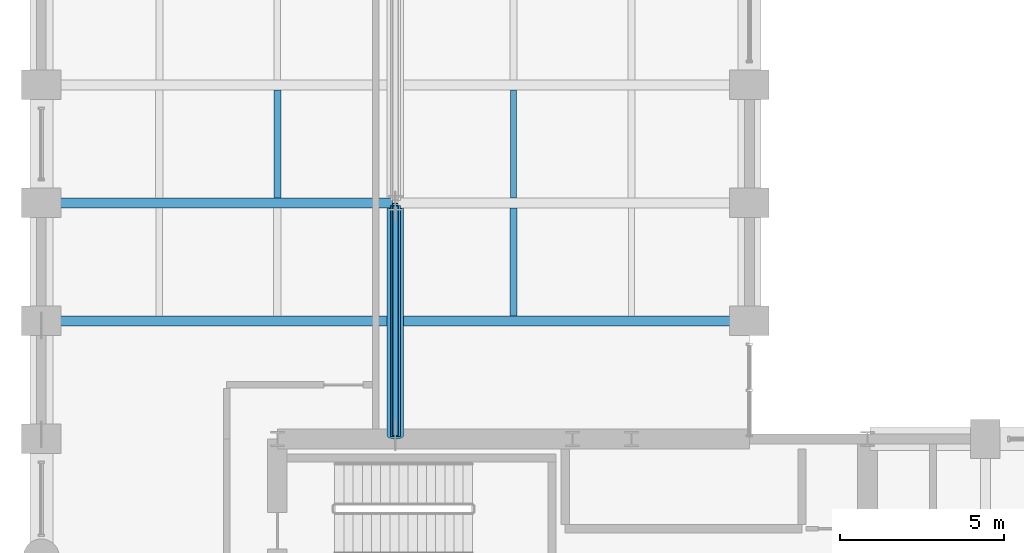
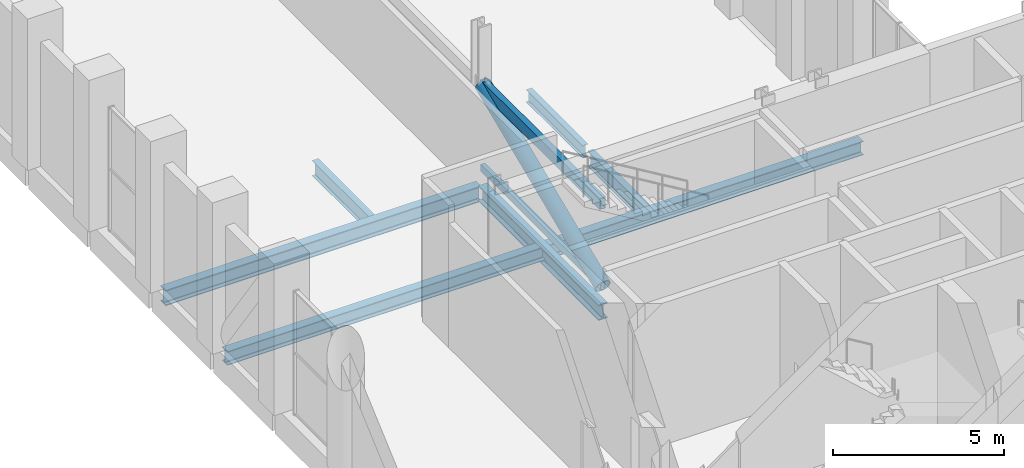
# One storey, part 7 of 27: 6 beams, 3 members.
"""IFC4 building model written with IfcOpenShell, lengths in metres."""

from ifc_helpers import new_model, si_unit, direction, frame, origin, origin_2d, place, context, subcontext, project, spatial, hollow_rectangle, hollow_circle, i_section, extrude, material, material_profile, profile_set, type_object, element, save


model = new_model("IFC4")

# Units and contexts
model_context = context("Model", 3, precision=1e-05, world=origin(), true_north=direction((0.0, 1.0)))
body_context = subcontext(model_context, "Body", "Model", "MODEL_VIEW")
ifc_project = project(units=[si_unit("LENGTHUNIT", "METRE"), si_unit("AREAUNIT", "SQUARE_METRE"), si_unit("VOLUMEUNIT", "CUBIC_METRE"), si_unit("PLANEANGLEUNIT", "RADIAN"), si_unit("MASSUNIT", "GRAM", prefix="KILO")], contexts=[model_context])

# Site, building, storey
site_placement = place(None, origin())
site = spatial("IfcSite", under=ifc_project, at=site_placement, CompositionType="ELEMENT")
building_placement = place(site_placement, origin())
building = spatial("IfcBuilding", under=site, at=building_placement, Name="Solnavia Interchange Tower", CompositionType="ELEMENT")
storey_placement = place(building_placement, frame((0.0, 0.0, 74.699951171875)))
storey = spatial("IfcBuildingStorey", under=building, at=storey_placement, Name="L18", CompositionType="ELEMENT", Elevation=74.699951171875)

# Beams
ifc_material_1 = material(Name="Steel S460", Category="steel")
ifc_material_profile_1 = material_profile(ifc_material_1, i_section(OverallWidth=0.300048828125, OverallDepth=0.550048828125, WebThickness=0.014892578125, FlangeThickness=0.029052734375, FilletRadius=0.027099609375, at=origin_2d()), Name="HEB 550")
ifc_profile_set_1 = profile_set([ifc_material_profile_1], Name="Steel S460")
beam_type_1 = type_object("IfcBeamType", Name="Beam-Girder-HEB550", PredefinedType="BEAM", material=ifc_profile_set_1)
beam_1_placement = place(storey_placement, frame((18.0, 25.280029296875, -0.594970703125), z_axis=(0.0, 1.0, 0.0), x_axis=(-1.0, 0.0, 0.0)))
element("IfcBeam", 1, at=beam_1_placement, inside=storey, type_object=beam_type_1, Name="GRD-L18-NS12 North wing spine girder", PredefinedType="BEAM", context=body_context, shape_type="SweptSolid", body=[
    extrude(i_section(OverallWidth=0.300048828125, OverallDepth=0.550048828125, WebThickness=0.014892578125, FlangeThickness=0.029052734375, FilletRadius=0.027099609375, at=origin_2d()), origin(), (0.0, 0.0, 1.0), 7.0400390625),
])
beam_2_placement = place(storey_placement, frame((7.280029296875, 32.39990234375, -0.594970703125), z_axis=(1.0, 0.0, 0.0), x_axis=(0.0, 1.0, 0.0)))
element("IfcBeam", 2, at=beam_2_placement, inside=storey, type_object=beam_type_1, Name="GRD-L18-NW16 North wing primary floor girder", PredefinedType="BEAM", context=body_context, shape_type="SweptSolid", body=[
    extrude(i_section(OverallWidth=0.300048828125, OverallDepth=0.550048828125, WebThickness=0.014892578125, FlangeThickness=0.029052734375, FilletRadius=0.027099609375, at=origin_2d()), origin(), (0.0, 0.0, 1.0), 10.639892578125),
])
ifc_material_2 = material(Name="Steel S355", Category="steel")
ifc_material_profile_2 = material_profile(ifc_material_2, i_section(OverallWidth=0.18994140625, OverallDepth=0.449951171875, WebThickness=0.009521484375, FlangeThickness=0.0146484375, FilletRadius=0.02099609375, at=origin_2d()), Name="IPE 450")
ifc_profile_set_2 = profile_set([ifc_material_profile_2], Name="Steel S355")
beam_type_2 = type_object("IfcBeamType", Name="Beam-Joist-IPE450", PredefinedType="JOIST", material=ifc_profile_set_2)
beam_3_placement = place(storey_placement, frame((21.60009765625, 32.550048828125, -0.544921875), z_axis=(0.0, 1.0, 0.0), x_axis=(-1.0, 0.0, 0.0)))
element("IfcBeam", 3, at=beam_3_placement, inside=storey, type_object=beam_type_2, Name="JST-L18-N30 North wing secondary joist", PredefinedType="JOIST", context=body_context, shape_type="SweptSolid", body=[
    extrude(i_section(OverallWidth=0.18994140625, OverallDepth=0.449951171875, WebThickness=0.009521484375, FlangeThickness=0.0146484375, FilletRadius=0.02099609375, at=origin_2d()), origin(), (0.0, 0.0, 1.0), 3.300048828125),
])
ifc_material_profile_3 = material_profile(ifc_material_2, i_section(OverallWidth=0.2099609375, OverallDepth=0.550048828125, WebThickness=0.010986328125, FlangeThickness=0.01708984375, FilletRadius=0.02392578125, at=origin_2d()), Name="IPE 550")
ifc_profile_set_3 = profile_set([ifc_material_profile_3], Name="Steel S355")
beam_type_3 = type_object("IfcBeamType", Name="Beam-Joist-IPE550", PredefinedType="JOIST", material=ifc_profile_set_3)
for number, where, z_axis, x_axis, name in (
    (4, (14.39990234375, 32.550048828125, -0.594970703125), (0.0, 1.0, 0.0), (-1.0, 0.0, 0.0), "JST-L18-N26 North wing secondary joist"),
    (5, (21.60009765625, 28.949951171875, -0.594970703125), (0.0, 1.0, 0.0), (-1.0, 0.0, 0.0), "JST-L18-N29 North wing secondary joist"),
):
    element("IfcBeam", number, at=place(storey_placement, frame(where, z_axis=z_axis, x_axis=x_axis)), inside=storey, type_object=beam_type_3, Name=name, PredefinedType="JOIST", context=body_context, shape_type="SweptSolid", body=[
        extrude(i_section(OverallWidth=0.2099609375, OverallDepth=0.550048828125, WebThickness=0.010986328125, FlangeThickness=0.01708984375, FilletRadius=0.02392578125, at=origin_2d()), origin(), (0.0, 0.0, 1.0), 3.300048828125),
    ])
ifc_material_profile_4 = material_profile(ifc_material_2, i_section(OverallWidth=0.300048828125, OverallDepth=0.489990234375, WebThickness=0.011962890625, FlangeThickness=0.02294921875, FilletRadius=0.027099609375, at=origin_2d()), Name="HEA 500")
ifc_profile_set_4 = profile_set([ifc_material_profile_4], Name="Steel S355")
beam_type_4 = type_object("IfcBeamType", Name="Beam-Primary-HEA500", PredefinedType="BEAM", material=ifc_profile_set_4)
beam_4_placement = place(storey_placement, frame((7.280029296875, 28.800048828125, -0.56494140625), z_axis=(1.0, 0.0, 0.0), x_axis=(0.0, 1.0, 0.0)))
element("IfcBeam", 6, at=beam_4_placement, inside=storey, type_object=beam_type_4, Name="GRD-L18-NW15 North wing primary floor girder", PredefinedType="BEAM", context=body_context, shape_type="SweptSolid", body=[
    extrude(i_section(OverallWidth=0.300048828125, OverallDepth=0.489990234375, WebThickness=0.011962890625, FlangeThickness=0.02294921875, FilletRadius=0.027099609375, at=origin_2d()), origin(), (0.0, 0.0, 1.0), 21.43994140625),
])

# Members
ifc_material_profile_5 = material_profile(ifc_material_2, hollow_rectangle(XDim=0.14990234375, YDim=0.25, WallThickness=0.010009765625, at=origin_2d()), Name="RHS 250x150x10")
ifc_profile_set_5 = profile_set([ifc_material_profile_5], Name="Steel S355")
member_type_1 = type_object("IfcMemberType", Name="Outrigger-Chord-RHS250", PredefinedType="CHORD", material=ifc_profile_set_5)
member_1_placement = place(storey_placement, frame((18.0, 25.300048828125, 0.300048828125), z_axis=(0.0, 1.0, 0.0), x_axis=(-1.0, 0.0, 0.0)))
element("IfcMember", 7, at=member_1_placement, inside=storey, type_object=member_type_1, Name="OTR-L18-BC03 Outrigger bottom chord", PredefinedType="CHORD", context=body_context, shape_type="SweptSolid", body=[
    extrude(hollow_rectangle(XDim=0.14990234375, YDim=0.25, WallThickness=0.010009765625, at=origin_2d()), origin(), (0.0, 0.0, 1.0), 7.0),
])
ifc_material_profile_6 = material_profile(ifc_material_1, hollow_rectangle(XDim=0.199951171875, YDim=0.39990234375, WallThickness=0.01611328125, at=origin_2d()), Name="RHS 400x200x16")
ifc_profile_set_6 = profile_set([ifc_material_profile_6], Name="Steel S460")
member_type_2 = type_object("IfcMemberType", Name="Outrigger-Chord-RHS400", PredefinedType="CHORD", material=ifc_profile_set_6)
member_2_placement = place(storey_placement, frame((18.0, 25.300048828125, 3.25), z_axis=(0.0, 1.0, 0.0), x_axis=(-1.0, 0.0, 0.0)))
element("IfcMember", 8, at=member_2_placement, inside=storey, type_object=member_type_2, Name="OTR-L18-TC03 Outrigger top chord", PredefinedType="CHORD", context=body_context, shape_type="SweptSolid", body=[
    extrude(hollow_rectangle(XDim=0.199951171875, YDim=0.39990234375, WallThickness=0.01611328125, at=origin_2d()), origin(), (0.0, 0.0, 1.0), 7.0),
])
ifc_material_profile_7 = material_profile(ifc_material_1, hollow_circle(Radius=0.25390625, WallThickness=0.02490234375, at=origin_2d()), Name="CHS 508x25")
ifc_profile_set_7 = profile_set([ifc_material_profile_7], Name="Steel S460")
member_type_3 = type_object("IfcMemberType", Name="Outrigger-Diag-CHS508", PredefinedType="BRACE", material=ifc_profile_set_7)
member_3_placement = place(storey_placement, frame((18.0, 25.300048828125, 0.300048828125), z_axis=(0.0, 0.921513727827, 0.3883457859), x_axis=(-1.0, 0.0, 0.0)))
element("IfcMember", 9, at=member_3_placement, inside=storey, type_object=member_type_3, Name="OTR-L18-DG03 Outrigger truss diagonal", PredefinedType="BRACE", context=body_context, shape_type="SweptSolid", body=[
    extrude(hollow_circle(Radius=0.25390625, WallThickness=0.02490234375, at=origin_2d()), origin(), (0.0, 0.0, 1.0), 7.59619140625),
])

save(model, "model.ifc")
